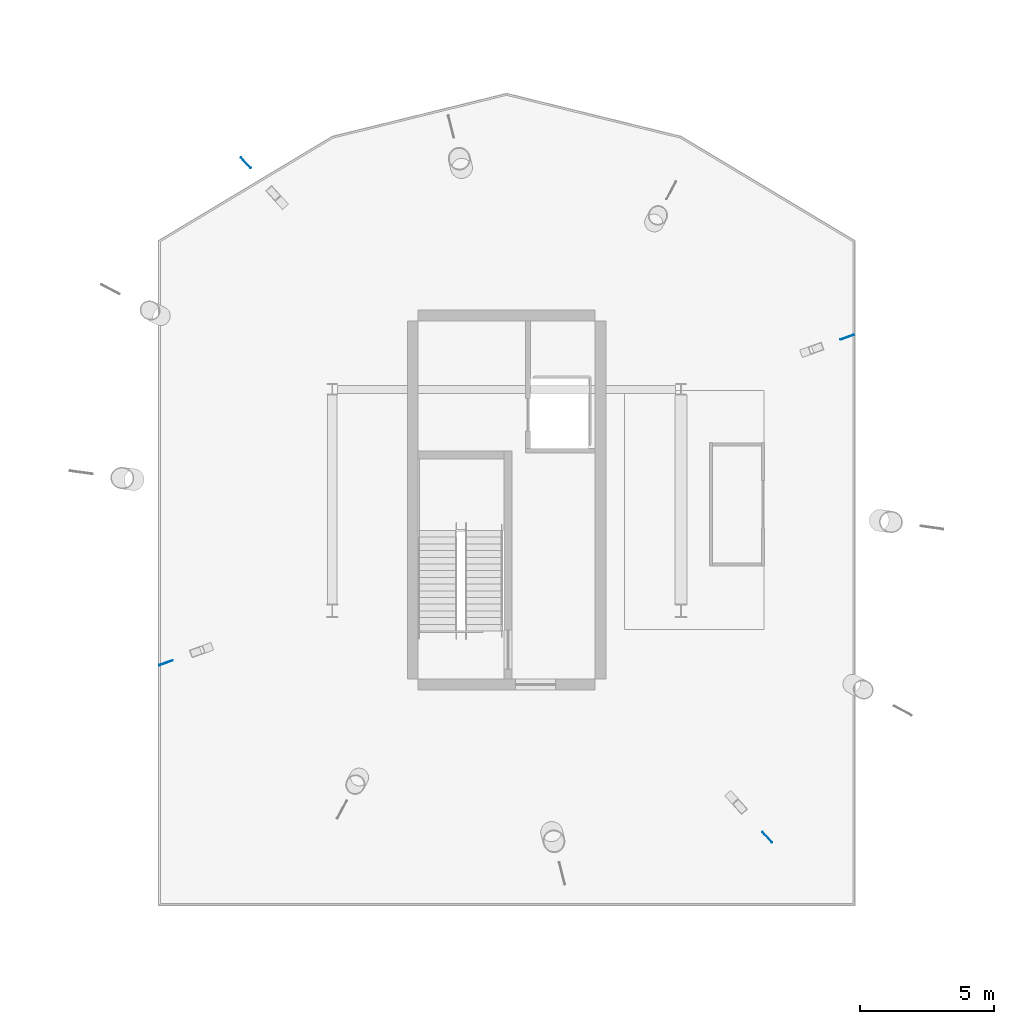
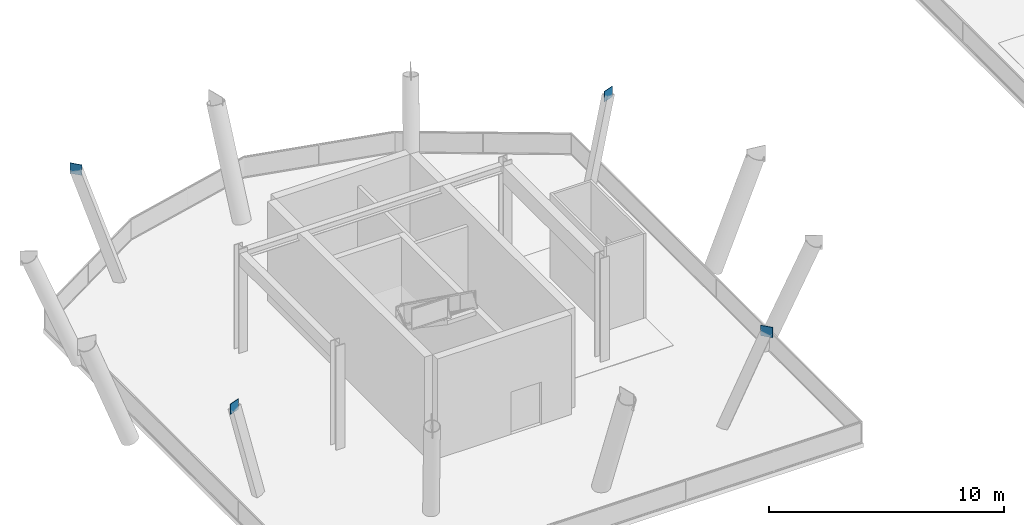
# One storey, part 85 of 117: 4 plates.
"""IFC4 building model written with IfcOpenShell, lengths in metres."""

from ifc_helpers import new_model, si_unit, direction, frame, origin, origin_2d, place, context, subcontext, project, spatial, rectangle, extrude, material, layer, layer_set, type_object, element, save


model = new_model("IFC4")

# Units and contexts
model_context = context("Model", 3, precision=1e-05, world=origin(), true_north=direction((0.0, 1.0)))
body_context = subcontext(model_context, "Body", "Model", "MODEL_VIEW")
ifc_project = project(units=[si_unit("LENGTHUNIT", "METRE"), si_unit("AREAUNIT", "SQUARE_METRE"), si_unit("VOLUMEUNIT", "CUBIC_METRE"), si_unit("PLANEANGLEUNIT", "RADIAN"), si_unit("MASSUNIT", "GRAM", prefix="KILO")], contexts=[model_context])

# Site, building, storey
site_placement = place(None, origin())
site = spatial("IfcSite", under=ifc_project, at=site_placement, CompositionType="ELEMENT")
building_placement = place(site_placement, origin())
building = spatial("IfcBuilding", under=site, at=building_placement, Name="Linyun Crest Stadium", CompositionType="ELEMENT")
storey_placement = place(building_placement, frame((0.0, 0.0, 6.0)))
storey = spatial("IfcBuildingStorey", under=building, at=storey_placement, Name="L02", CompositionType="ELEMENT", Elevation=6.0)

# Plates
ifc_material = material(Name="Steel Q420C", Category="steel")
ifc_layer = layer(ifc_material, 0.028076171875)
ifc_layer_set = layer_set([ifc_layer], Name="Steel Q420C")
plate_type = type_object("IfcPlateType", Name="EP03", PredefinedType="USERDEFINED", material=ifc_layer_set)
for number, where, z_axis, x_axis, name in (
    (1, (-60.802978515625, 90.694091796875, 5.1279296875), (0.0, 0.0, 1.0), (0.941529364694, 0.336930935681, 0.0), "Hollow section cap end plate EP03 351"),
    (2, (-83.218017578125, 97.194091796875, 5.1279296875), (0.0, 0.0, 1.0), (-0.667572701047, 0.744544618419, 0.0), "Hollow section cap end plate EP03 366"),
    (3, (-86.197021484375, 78.555908203125, 5.1279296875), (0.0, 0.0, 1.0), (-0.941529364694, -0.336930935681, 0.0), "Hollow section cap end plate EP03 381"),
    (4, (-63.781982421875, 72.055908203125, 5.1279296875), (0.0, 0.0, 1.0), (0.667572701047, -0.744544618419, 0.0), "Hollow section cap end plate EP03 396"),
):
    element("IfcPlate", number, at=place(storey_placement, frame(where, z_axis=z_axis, x_axis=x_axis)), inside=storey, type_object=plate_type, Name=name, ObjectType="END PLATE", PredefinedType="USERDEFINED", context=body_context, shape_type="SweptSolid", body=[
        extrude(rectangle(XDim=0.5400390625, YDim=0.028076171875, at=origin_2d()), origin(), (0.0, 0.0, 1.0), 0.5400390625),
    ])

save(model, "model.ifc")
